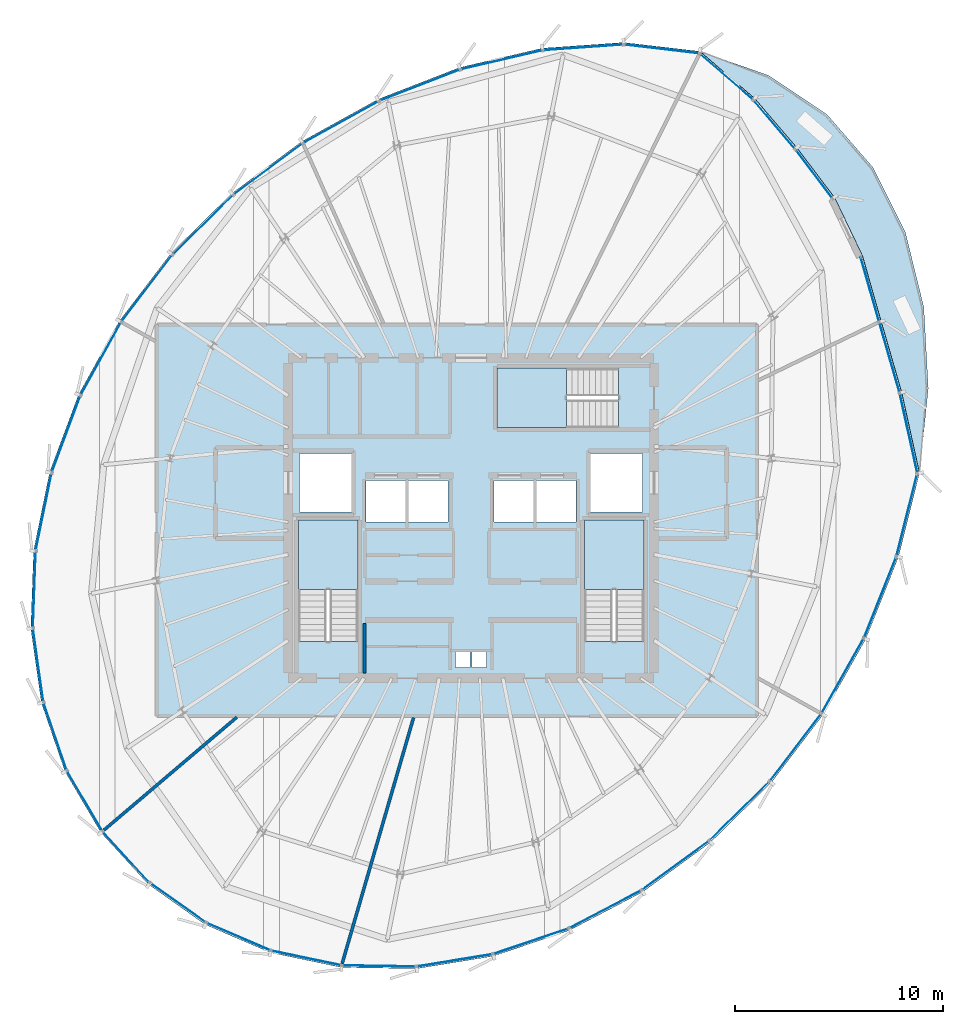
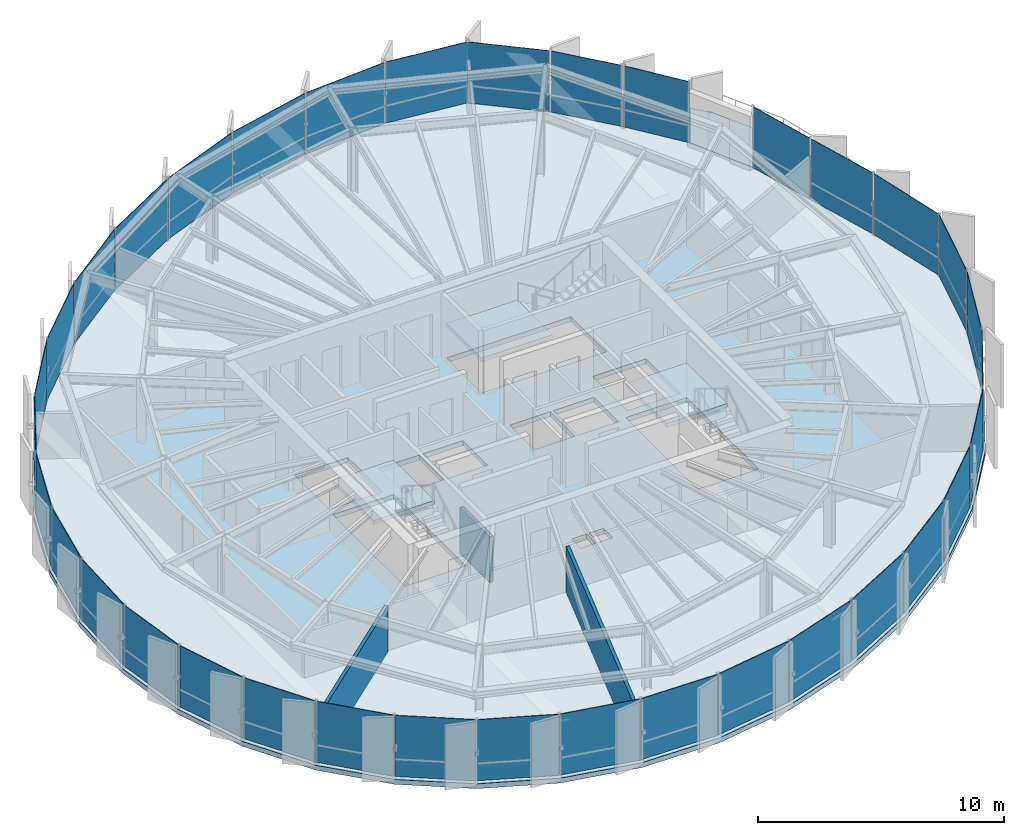
# One storey, part 26 of 34: 35 plates, 5 slabs, 3 walls, 10 elements without a shape of their own.
"""IFC4 building model written with IfcOpenShell, lengths in metres."""

from ifc_helpers import new_model, si_unit, direction, frame, frame_2d, origin, origin_2d, place, context, subcontext, project, spatial, polyline, rectangle, outline, extrude, source, transform, mapped, material, layer, layer_set, type_object, element, aggregate, save


model = new_model("IFC4")

# Units and contexts
model_context = context("Model", 3, precision=1e-05, world=origin(), true_north=direction((0.0, 1.0)))
body_context = subcontext(model_context, "Body", "Model", "MODEL_VIEW")
ifc_project = project(units=[si_unit("LENGTHUNIT", "METRE"), si_unit("AREAUNIT", "SQUARE_METRE"), si_unit("VOLUMEUNIT", "CUBIC_METRE"), si_unit("PLANEANGLEUNIT", "RADIAN"), si_unit("MASSUNIT", "GRAM", prefix="KILO"), si_unit("THERMODYNAMICTEMPERATUREUNIT", "KELVIN")], contexts=[model_context])

# Site, building, storey
site_placement = place(None, origin())
site = spatial("IfcSite", under=ifc_project, at=site_placement, CompositionType="ELEMENT")
building_placement = place(site_placement, origin())
building = spatial("IfcBuilding", under=site, at=building_placement, Name="Kethvar Cultural Tower", CompositionType="ELEMENT")
storey_placement = place(building_placement, frame((0.0, 0.0, 231.85009765625)))
storey = spatial("IfcBuildingStorey", under=building, at=storey_placement, Name="L60", CompositionType="ELEMENT", Elevation=231.85009765625)

# Stair, slab
ifc_material_1 = material(Name="Concrete C40/50", Category="concrete")
stair_type = type_object("IfcStairType", Name="ST-DOGLEG-135", PredefinedType="HALF_TURN_STAIR", material=ifc_material_1)
stair_1_placement = place(storey_placement, origin())
stair_1 = element("IfcStair", 1, at=stair_1_placement, inside=storey, type_object=stair_type, Name="L60 Core Exit Stair 1", PredefinedType="HALF_TURN_STAIR")
ifc_layer_1 = layer(ifc_material_1, 0.199951171875, Name="Concrete C40/50", Category="concrete")
ifc_layer_set_1 = layer_set([ifc_layer_1], Name="Concrete C40/50 (200 mm)")
slab_type_1 = type_object("IfcSlabType", Name="SL-STAIR-LANDING-200", PredefinedType="LANDING", material=ifc_layer_set_1)
slab_1_placement = place(storey_placement, frame((0.0, 0.0, 1.52490234375)))
slab_1 = element("IfcSlab", 2, at=slab_1_placement, type_object=slab_type_1, Name="ST-01 landing 1", PredefinedType="LANDING", context=body_context, shape_type="SweptSolid", body=[
    extrude(outline(polyline([(41.35009765625, 24.3701171875), (41.35009765625, 27.699951171875), (38.489990234375, 27.699951171875), (38.489990234375, 24.3701171875), (41.35009765625, 24.3701171875)])), origin(), (0.0, 0.0, 1.0), 0.199951171875),
])
aggregate(stair_1, [slab_1])

stair_2_placement = place(storey_placement, origin())
stair_2 = element("IfcStair", 3, at=stair_2_placement, inside=storey, type_object=stair_type, Name="L60 Core Exit Stair 2", PredefinedType="HALF_TURN_STAIR")
slab_2_placement = place(storey_placement, frame((0.0, 0.0, 1.52490234375)))
slab_2 = element("IfcSlab", 4, at=slab_2_placement, type_object=slab_type_1, Name="ST-02 landing 1", PredefinedType="LANDING", context=body_context, shape_type="SweptSolid", body=[
    extrude(outline(polyline([(55.110107421875, 24.3701171875), (55.110107421875, 27.699951171875), (52.25, 27.699951171875), (52.25, 24.3701171875), (55.110107421875, 24.3701171875)])), origin(), (0.0, 0.0, 1.0), 0.199951171875),
])
aggregate(stair_2, [slab_2])

stair_3_placement = place(storey_placement, origin())
stair_3 = element("IfcStair", 5, at=stair_3_placement, inside=storey, type_object=stair_type, Name="L60 Core Exit Stair 3", PredefinedType="HALF_TURN_STAIR")
slab_3_placement = place(storey_placement, frame((0.0, 0.0, 1.52490234375)))
slab_3 = element("IfcSlab", 6, at=slab_3_placement, type_object=slab_type_1, Name="ST-03 landing 1", PredefinedType="LANDING", context=body_context, shape_type="SweptSolid", body=[
    extrude(outline(polyline([(51.3798828125, 35.010009765625), (48.050048828125, 35.010009765625), (48.050048828125, 32.14990234375), (51.3798828125, 32.14990234375), (51.3798828125, 35.010009765625)])), origin(), (0.0, 0.0, 1.0), 0.199951171875),
])
aggregate(stair_3, [slab_3])

# Slabs
ifc_layer_2 = layer(ifc_material_1, 0.215087890625, Name="Concrete C40/50", Category="concrete")
ifc_layer_set_2 = layer_set([ifc_layer_2], Name="Concrete C40/50 (215 mm)")
slab_type_2 = type_object("IfcSlabType", Name="SL-TER-EXT", PredefinedType="FLOOR", material=ifc_layer_set_2)
slab_4_placement = place(storey_placement, frame((0.0, 0.0, -0.215087890625)))
element("IfcSlab", 7, at=slab_4_placement, inside=storey, type_object=slab_type_2, Name="L60 Spiralling Sky Terrace Deck", PredefinedType="FLOOR", context=body_context, shape_type="SweptSolid", body=[
    extrude(outline(polyline([(68.372802734375, 29.966796875), (68.79638671875, 34.035888671875), (68.579833984375, 37.947265625), (67.693115234375, 41.541015625), (66.131103515625, 44.67138671875), (63.9189453125, 47.217529296875), (61.115478515625, 49.09326171875), (57.814208984375, 50.25048828125), (60.442138671875, 47.989990234375), (62.4892578125, 45.595703125), (64.294677734375, 43.205078125), (65.6298828125, 40.416259765625), (66.53076171875, 37.2578125), (67.5185546875, 33.8427734375), (68.372802734375, 29.966796875)])), origin(), (0.0, 0.0, 1.0), 0.215087890625),
])
ifc_layer_3 = layer(ifc_material_1, 0.239990234375, Name="Concrete C40/50", Category="concrete")
ifc_layer_set_3 = layer_set([ifc_layer_3], Name="Concrete C40/50 (240 mm)")
slab_type_3 = type_object("IfcSlabType", Name="SL-TOW-240", PredefinedType="FLOOR", material=ifc_layer_set_3)
slab_5_placement = place(storey_placement, frame((0.0, 0.0, -0.239990234375)))
element("IfcSlab", 8, at=slab_5_placement, inside=storey, type_object=slab_type_3, Name="L60 Structural Floor Slab", PredefinedType="FLOOR", context=body_context, shape_type="SweptSolid", body=[
    extrude(outline(polyline([(62.4892578125, 45.595703125), (60.442138671875, 47.989990234375), (57.814208984375, 50.25048828125), (54.137451171875, 50.6796875), (50.22998046875, 50.404541015625), (46.24609375, 49.47412109375), (42.339111328125, 47.95361328125), (38.6494140625, 45.913330078125), (35.294189453125, 43.4208984375), (32.35791015625, 40.532470703125), (29.880126953125, 37.27978515625), (27.91650390625, 33.7392578125), (26.52685546875, 30.01806640625), (25.7529296875, 26.2294921875), (25.61865234375, 22.48876953125), (26.1279296875, 18.9091796875), (27.265380859375, 15.599853515625), (28.996337890625, 12.661376953125), (31.268310546875, 10.1826171875), (34.01220703125, 8.2392578125), (37.14453125, 6.890380859375), (40.5703125, 6.1767578125), (44.185302734375, 6.1201171875), (47.8798828125, 6.72216796875), (51.54150390625, 7.964599609375), (55.05908203125, 9.809814453125), (58.32568359375, 12.20166015625), (61.2421875, 15.0673828125), (63.73974609375, 18.3427734375), (65.7919921875, 21.98388671875), (67.353759765625, 25.900146484375), (68.372802734375, 29.966796875), (67.5185546875, 33.8427734375), (66.53076171875, 37.2578125), (65.6298828125, 40.416259765625), (64.294677734375, 43.205078125), (62.4892578125, 45.595703125)]), holes=[polyline([(38.489990234375, 21.85009765625), (38.489990234375, 27.699951171875), (41.35009765625, 27.699951171875), (41.35009765625, 21.85009765625), (38.489990234375, 21.85009765625)]), polyline([(52.25, 21.85009765625), (52.25, 27.699951171875), (55.110107421875, 27.699951171875), (55.110107421875, 21.85009765625), (52.25, 21.85009765625)]), polyline([(53.89990234375, 32.14990234375), (48.050048828125, 32.14990234375), (48.050048828125, 35.010009765625), (53.89990234375, 35.010009765625), (53.89990234375, 32.14990234375)]), polyline([(41.75, 29.60009765625), (43.64990234375, 29.60009765625), (43.64990234375, 27.60009765625), (41.75, 27.60009765625), (41.75, 29.60009765625)]), polyline([(43.800048828125, 29.60009765625), (45.699951171875, 29.60009765625), (45.699951171875, 27.60009765625), (43.800048828125, 27.60009765625), (43.800048828125, 29.60009765625)]), polyline([(47.89990234375, 29.60009765625), (49.800048828125, 29.60009765625), (49.800048828125, 27.60009765625), (47.89990234375, 27.60009765625), (47.89990234375, 29.60009765625)]), polyline([(49.949951171875, 29.60009765625), (51.85009765625, 29.60009765625), (51.85009765625, 27.60009765625), (49.949951171875, 27.60009765625), (49.949951171875, 29.60009765625)]), polyline([(38.550048828125, 30.89990234375), (41.050048828125, 30.89990234375), (41.050048828125, 28.10009765625), (38.550048828125, 28.10009765625), (38.550048828125, 30.89990234375)]), polyline([(52.550048828125, 30.89990234375), (55.050048828125, 30.89990234375), (55.050048828125, 28.10009765625), (52.550048828125, 28.10009765625), (52.550048828125, 30.89990234375)]), polyline([(46.050048828125, 21.35009765625), (46.75, 21.35009765625), (46.75, 20.60009765625), (46.050048828125, 20.60009765625), (46.050048828125, 21.35009765625)]), polyline([(46.85009765625, 21.35009765625), (47.550048828125, 21.35009765625), (47.550048828125, 20.60009765625), (46.85009765625, 20.60009765625), (46.85009765625, 21.35009765625)])]), origin(), (0.0, 0.0, 1.0), 0.239990234375),
])

# Curtain wall, plates
ifc_material_2 = material(Name="Aluminium 6063-T6", Category="aluminium")
ifc_layer_4 = layer(ifc_material_2, 0.179931640625, Name="Aluminium 6063-T6", Category="aluminium")
ifc_layer_set_4 = layer_set([ifc_layer_4], Name="Aluminium 6063-T6 (180 mm)")
curtain_wall_type = type_object("IfcCurtainWallType", Name="CW-SYS-05-Z56", PredefinedType="NOTDEFINED", material=ifc_layer_set_4)
curtain_wall_1_placement = place(storey_placement, origin())
curtain_wall_1 = element("IfcCurtainWall", 9, at=curtain_wall_1_placement, inside=storey, type_object=curtain_wall_type, Name="L60 Curtain Wall Run 01", PredefinedType="NOTDEFINED")
ifc_material_3 = material(Name="Insulated Low-E Solar Glass", Category="glass")
ifc_layer_5 = layer(ifc_material_3, 0.028076171875, Name="Insulated Low-E Solar Glass", Category="glass")
ifc_layer_set_5 = layer_set([ifc_layer_5], Name="Insulated Low-E Solar Glass (28 mm)")
plate_type = type_object("IfcPlateType", Name="CW-SYS-05-Z56-PNL", PredefinedType="CURTAIN_PANEL", material=ifc_layer_set_5)
shared_shape_1 = source(origin(), body_context, "Body", "SweptSolid", [
    extrude(rectangle(XDim=3.071044921875, YDim=0.028076171875, at=origin_2d()), origin(), (0.0, 0.0, 1.0), 3.030029296875),
])
plate_1_placement = place(storey_placement, frame((61.3896484375, 46.727783203125, 0.08984375), z_axis=(0.0, 0.0, 1.0), x_axis=(-0.64984610692, 0.760065811178, 0.0)))
plate_1 = element("IfcPlate", 10, at=plate_1_placement, type_object=plate_type, Name="CW-L60-R01 Vision Glazing Panel 1", PredefinedType="CURTAIN_PANEL", context=body_context, shape_type="MappedRepresentation", body=[
    mapped(shared_shape_1, transform((0.0, 0.0, 0.0), scale=1.0)),
])
shared_shape_2 = source(origin(), body_context, "Body", "SweptSolid", [
    extrude(rectangle(XDim=3.38720703125, YDim=0.028076171875, at=origin_2d()), origin(), (0.0, 0.0, 1.0), 3.030029296875),
])
plate_2_placement = place(storey_placement, frame((59.06298828125, 49.044677734375, 0.08984375), z_axis=(0.0, 0.0, 1.0), x_axis=(-0.758122954818, 0.652111635671, 0.0)))
plate_2 = element("IfcPlate", 11, at=plate_2_placement, type_object=plate_type, Name="CW-L60-R01 Vision Glazing Panel 2", PredefinedType="CURTAIN_PANEL", context=body_context, shape_type="MappedRepresentation", body=[
    mapped(shared_shape_2, transform((0.0, 0.0, 0.0), scale=1.0)),
])
shared_shape_3 = source(origin(), body_context, "Body", "SweptSolid", [
    extrude(rectangle(XDim=3.622314453125, YDim=0.028076171875, at=origin_2d()), origin(), (0.0, 0.0, 1.0), 3.030029296875),
])
plate_3_placement = place(storey_placement, frame((55.964111328125, 50.365966796875, 0.08984375), z_axis=(0.0, 0.0, 1.0), x_axis=(-0.99325590681, 0.115942673708, 0.0)))
plate_3 = element("IfcPlate", 12, at=plate_3_placement, type_object=plate_type, Name="CW-L60-R01 Vision Glazing Panel 3", PredefinedType="CURTAIN_PANEL", context=body_context, shape_type="MappedRepresentation", body=[
    mapped(shared_shape_3, transform((0.0, 0.0, 0.0), scale=1.0)),
])
shared_shape_4 = source(origin(), body_context, "Body", "SweptSolid", [
    extrude(rectangle(XDim=3.838134765625, YDim=0.028076171875, at=origin_2d()), origin(), (0.0, 0.0, 1.0), 3.030029296875),
])
plate_4_placement = place(storey_placement, frame((52.190673828125, 50.4423828125, 0.08984375), z_axis=(0.0, 0.0, 1.0), x_axis=(-0.997528615558, -0.070261377325, 0.0)))
plate_4 = element("IfcPlate", 13, at=plate_4_placement, type_object=plate_type, Name="CW-L60-R01 Vision Glazing Panel 4", PredefinedType="CURTAIN_PANEL", context=body_context, shape_type="MappedRepresentation", body=[
    mapped(shared_shape_4, transform((0.0, 0.0, 0.0), scale=1.0)),
])
shared_shape_5 = source(origin(), body_context, "Body", "SweptSolid", [
    extrude(rectangle(XDim=4.011962890625, YDim=0.028076171875, at=origin_2d()), origin(), (0.0, 0.0, 1.0), 3.030029296875),
])
plate_5_placement = place(storey_placement, frame((48.2607421875, 49.842041015625, 0.08984375), z_axis=(0.0, 0.0, 1.0), x_axis=(-0.973797655378, -0.227416196389, 0.0)))
plate_5 = element("IfcPlate", 14, at=plate_5_placement, type_object=plate_type, Name="CW-L60-R01 Vision Glazing Panel 5", PredefinedType="CURTAIN_PANEL", context=body_context, shape_type="MappedRepresentation", body=[
    mapped(shared_shape_5, transform((0.0, 0.0, 0.0), scale=1.0)),
])
shared_shape_6 = source(origin(), body_context, "Body", "SweptSolid", [
    extrude(rectangle(XDim=4.11328125, YDim=0.028076171875, at=origin_2d()), origin(), (0.0, 0.0, 1.0), 3.030029296875),
])
plate_6_placement = place(storey_placement, frame((44.328857421875, 48.62060546875, 0.08984375), z_axis=(0.0, 0.0, 1.0), x_axis=(-0.931906621151, -0.362698289844, 0.0)))
plate_6 = element("IfcPlate", 15, at=plate_6_placement, type_object=plate_type, Name="CW-L60-R01 Vision Glazing Panel 6", PredefinedType="CURTAIN_PANEL", context=body_context, shape_type="MappedRepresentation", body=[
    mapped(shared_shape_6, transform((0.0, 0.0, 0.0), scale=1.0)),
])
aggregate(curtain_wall_1, [plate_1, plate_2, plate_3, plate_4, plate_5, plate_6])

# Curtain wall, plate
curtain_wall_2_placement = place(storey_placement, origin())
curtain_wall_2 = element("IfcCurtainWall", 16, at=curtain_wall_2_placement, inside=storey, type_object=curtain_wall_type, Name="L60 Curtain Wall Run 06", PredefinedType="NOTDEFINED")
plate_7_placement = place(storey_placement, frame((67.766357421875, 27.9580078125, 0.08984375), z_axis=(0.0, 0.0, 1.0), x_axis=(0.24305636523, 0.970012166584, 0.0)))
plate_7 = element("IfcPlate", 17, at=plate_7_placement, type_object=plate_type, Name="CW-L60-R06 Vision Glazing Panel 1", PredefinedType="CURTAIN_PANEL", context=body_context, shape_type="MappedRepresentation", body=[
    mapped(shared_shape_6, transform((0.0, 0.0, 0.0), scale=1.0)),
])

curtain_wall_3_placement = place(storey_placement, origin())
curtain_wall_3 = element("IfcCurtainWall", 18, at=curtain_wall_3_placement, inside=storey, type_object=curtain_wall_type, Name="L60 Curtain Wall Run 02", PredefinedType="NOTDEFINED")
shared_shape_7 = source(origin(), body_context, "Body", "SweptSolid", [
    extrude(rectangle(XDim=4.136962890625, YDim=0.028076171875, at=origin_2d()), origin(), (0.0, 0.0, 1.0), 3.030029296875),
])
plate_8_placement = place(storey_placement, frame((40.542724609375, 46.845947265625, 0.08984375), z_axis=(0.0, 0.0, 1.0), x_axis=(-0.875110027329, -0.483924002369, 0.0)))
plate_8 = element("IfcPlate", 19, at=plate_8_placement, type_object=plate_type, Name="CW-L60-R02 Vision Glazing Panel 1", PredefinedType="CURTAIN_PANEL", context=body_context, shape_type="MappedRepresentation", body=[
    mapped(shared_shape_7, transform((0.0, 0.0, 0.0), scale=1.0)),
])

curtain_wall_4_placement = place(storey_placement, origin())
curtain_wall_4 = element("IfcCurtainWall", 20, at=curtain_wall_4_placement, inside=storey, type_object=curtain_wall_type, Name="L60 Curtain Wall Run 05", PredefinedType="NOTDEFINED")
plate_9_placement = place(storey_placement, frame((66.47998046875, 23.979248046875, 0.08984375), z_axis=(0.0, 0.0, 1.0), x_axis=(0.37042774762, 0.928861283397, 0.0)))
plate_9 = element("IfcPlate", 21, at=plate_9_placement, type_object=plate_type, Name="CW-L60-R05 Vision Glazing Panel 6", PredefinedType="CURTAIN_PANEL", context=body_context, shape_type="MappedRepresentation", body=[
    mapped(shared_shape_7, transform((0.0, 0.0, 0.0), scale=1.0)),
])

# Plate
shared_shape_8 = source(origin(), body_context, "Body", "SweptSolid", [
    extrude(rectangle(XDim=4.1005859375, YDim=0.028076171875, at=origin_2d()), origin(), (0.0, 0.0, 1.0), 3.030029296875),
])
plate_10_placement = place(storey_placement, frame((37.031494140625, 44.5869140625, 0.08984375), z_axis=(0.0, 0.0, 1.0), x_axis=(-0.802755034266, -0.596308942546, 0.0)))
plate_10 = element("IfcPlate", 22, at=plate_10_placement, type_object=plate_type, Name="CW-L60-R02 Vision Glazing Panel 2", PredefinedType="CURTAIN_PANEL", context=body_context, shape_type="MappedRepresentation", body=[
    mapped(shared_shape_8, transform((0.0, 0.0, 0.0), scale=1.0)),
])

plate_11_placement = place(storey_placement, frame((64.6787109375, 20.21240234375, 0.08984375), z_axis=(0.0, 0.0, 1.0), x_axis=(0.490979779493, 0.871170968369, 0.0)))
plate_11 = element("IfcPlate", 23, at=plate_11_placement, type_object=plate_type, Name="CW-L60-R05 Vision Glazing Panel 5", PredefinedType="CURTAIN_PANEL", context=body_context, shape_type="MappedRepresentation", body=[
    mapped(shared_shape_8, transform((0.0, 0.0, 0.0), scale=1.0)),
])

shared_shape_9 = source(origin(), body_context, "Body", "SweptSolid", [
    extrude(rectangle(XDim=4.03955078125, YDim=0.028076171875, at=origin_2d()), origin(), (0.0, 0.0, 1.0), 3.030029296875),
])
plate_12_placement = place(storey_placement, frame((33.896240234375, 41.905517578125, 0.08984375), z_axis=(0.0, 0.0, 1.0), x_axis=(-0.712907835115, -0.701257740515, 0.0)))
plate_12 = element("IfcPlate", 24, at=plate_12_placement, type_object=plate_type, Name="CW-L60-R02 Vision Glazing Panel 3", PredefinedType="CURTAIN_PANEL", context=body_context, shape_type="MappedRepresentation", body=[
    mapped(shared_shape_9, transform((0.0, 0.0, 0.0), scale=1.0)),
])

plate_13_placement = place(storey_placement, frame((62.41162109375, 16.765625, 0.08984375), z_axis=(0.0, 0.0, 1.0), x_axis=(0.606377069567, 0.79517724408, 0.0)))
plate_13 = element("IfcPlate", 25, at=plate_13_placement, type_object=plate_type, Name="CW-L60-R05 Vision Glazing Panel 4", PredefinedType="CURTAIN_PANEL", context=body_context, shape_type="MappedRepresentation", body=[
    mapped(shared_shape_9, transform((0.0, 0.0, 0.0), scale=1.0)),
])

shared_shape_10 = source(origin(), body_context, "Body", "SweptSolid", [
    extrude(rectangle(XDim=4.009765625, YDim=0.028076171875, at=origin_2d()), origin(), (0.0, 0.0, 1.0), 3.030029296875),
])
plate_14_placement = place(storey_placement, frame((31.198486328125, 38.845703125, 0.08984375), z_axis=(0.0, 0.0, 1.0), x_axis=(-0.605974516542, -0.795484057227, 0.0)))
plate_14 = element("IfcPlate", 26, at=plate_14_placement, type_object=plate_type, Name="CW-L60-R02 Vision Glazing Panel 4", PredefinedType="CURTAIN_PANEL", context=body_context, shape_type="MappedRepresentation", body=[
    mapped(shared_shape_10, transform((0.0, 0.0, 0.0), scale=1.0)),
])

shared_shape_11 = source(origin(), body_context, "Body", "SweptSolid", [
    extrude(rectangle(XDim=3.969482421875, YDim=0.028076171875, at=origin_2d()), origin(), (0.0, 0.0, 1.0), 3.030029296875),
])
plate_15_placement = place(storey_placement, frame((28.98583984375, 35.461181640625, 0.08984375), z_axis=(0.0, 0.0, 1.0), x_axis=(-0.48497752624, -0.874526614256, 0.0)))
plate_15 = element("IfcPlate", 27, at=plate_15_placement, type_object=plate_type, Name="CW-L60-R02 Vision Glazing Panel 5", PredefinedType="CURTAIN_PANEL", context=body_context, shape_type="MappedRepresentation", body=[
    mapped(shared_shape_11, transform((0.0, 0.0, 0.0), scale=1.0)),
])

plate_16_placement = place(storey_placement, frame((56.63330078125, 11.08642578125, 0.08984375), z_axis=(0.0, 0.0, 1.0), x_axis=(0.806836598284, 0.590774664038, 0.0)))
plate_16 = element("IfcPlate", 28, at=plate_16_placement, type_object=plate_type, Name="CW-L60-R05 Vision Glazing Panel 2", PredefinedType="CURTAIN_PANEL", context=body_context, shape_type="MappedRepresentation", body=[
    mapped(shared_shape_11, transform((0.0, 0.0, 0.0), scale=1.0)),
])

shared_shape_12 = source(origin(), body_context, "Body", "SweptSolid", [
    extrude(rectangle(XDim=3.89306640625, YDim=0.028076171875, at=origin_2d()), origin(), (0.0, 0.0, 1.0), 3.030029296875),
])
plate_17_placement = place(storey_placement, frame((27.3154296875, 31.843505859375, 0.08984375), z_axis=(0.0, 0.0, 1.0), x_axis=(-0.349880399656, -0.936794377618, 0.0)))
plate_17 = element("IfcPlate", 29, at=plate_17_placement, type_object=plate_type, Name="CW-L60-R02 Vision Glazing Panel 6", PredefinedType="CURTAIN_PANEL", context=body_context, shape_type="MappedRepresentation", body=[
    mapped(shared_shape_12, transform((0.0, 0.0, 0.0), scale=1.0)),
])

aggregate(curtain_wall_3, [plate_8, plate_10, plate_12, plate_14, plate_15, plate_17])

plate_18_placement = place(storey_placement, frame((53.25390625, 8.975830078125, 0.08984375), z_axis=(0.0, 0.0, 1.0), x_axis=(0.885555832294, 0.464532956732, 0.0)))
plate_18 = element("IfcPlate", 30, at=plate_18_placement, type_object=plate_type, Name="CW-L60-R05 Vision Glazing Panel 1", PredefinedType="CURTAIN_PANEL", context=body_context, shape_type="MappedRepresentation", body=[
    mapped(shared_shape_12, transform((0.0, 0.0, 0.0), scale=1.0)),
])

# Curtain wall, plate
curtain_wall_5_placement = place(storey_placement, origin())
curtain_wall_5 = element("IfcCurtainWall", 31, at=curtain_wall_5_placement, inside=storey, type_object=curtain_wall_type, Name="L60 Curtain Wall Run 03", PredefinedType="NOTDEFINED")
shared_shape_13 = source(origin(), body_context, "Body", "SweptSolid", [
    extrude(rectangle(XDim=3.78759765625, YDim=0.028076171875, at=origin_2d()), origin(), (0.0, 0.0, 1.0), 3.030029296875),
])
plate_19_placement = place(storey_placement, frame((26.23779296875, 28.103759765625, 0.08984375), z_axis=(0.0, 0.0, 1.0), x_axis=(-0.200120403706, -0.979771312103, 0.0)))
plate_19 = element("IfcPlate", 32, at=plate_19_placement, type_object=plate_type, Name="CW-L60-R03 Vision Glazing Panel 1", PredefinedType="CURTAIN_PANEL", context=body_context, shape_type="MappedRepresentation", body=[
    mapped(shared_shape_13, transform((0.0, 0.0, 0.0), scale=1.0)),
])

curtain_wall_6_placement = place(storey_placement, origin())
curtain_wall_6 = element("IfcCurtainWall", 33, at=curtain_wall_6_placement, inside=storey, type_object=curtain_wall_type, Name="L60 Curtain Wall Run 04", PredefinedType="NOTDEFINED")
plate_20_placement = place(storey_placement, frame((49.6787109375, 7.43798828125, 0.08984375), z_axis=(0.0, 0.0, 1.0), x_axis=(0.946969393667, 0.321323773565, 0.0)))
plate_20 = element("IfcPlate", 34, at=plate_20_placement, type_object=plate_type, Name="CW-L60-R04 Vision Glazing Panel 6", PredefinedType="CURTAIN_PANEL", context=body_context, shape_type="MappedRepresentation", body=[
    mapped(shared_shape_13, transform((0.0, 0.0, 0.0), scale=1.0)),
])

# Plate
shared_shape_14 = source(origin(), body_context, "Body", "SweptSolid", [
    extrude(rectangle(XDim=3.6640625, YDim=0.028076171875, at=origin_2d()), origin(), (0.0, 0.0, 1.0), 3.030029296875),
])
plate_21_placement = place(storey_placement, frame((25.785888671875, 24.35546875, 0.08984375), z_axis=(0.0, 0.0, 1.0), x_axis=(-0.035876268863, -0.999356239452, 0.0)))
plate_21 = element("IfcPlate", 35, at=plate_21_placement, type_object=plate_type, Name="CW-L60-R03 Vision Glazing Panel 2", PredefinedType="CURTAIN_PANEL", context=body_context, shape_type="MappedRepresentation", body=[
    mapped(shared_shape_14, transform((0.0, 0.0, 0.0), scale=1.0)),
])

plate_22_placement = place(storey_placement, frame((46.016357421875, 6.519775390625, 0.08984375), z_axis=(0.0, 0.0, 1.0), x_axis=(0.986979528226, 0.16084592274, 0.0)))
plate_22 = element("IfcPlate", 36, at=plate_22_placement, type_object=plate_type, Name="CW-L60-R04 Vision Glazing Panel 5", PredefinedType="CURTAIN_PANEL", context=body_context, shape_type="MappedRepresentation", body=[
    mapped(shared_shape_14, transform((0.0, 0.0, 0.0), scale=1.0)),
])

shared_shape_15 = source(origin(), body_context, "Body", "SweptSolid", [
    extrude(rectangle(XDim=3.536376953125, YDim=0.028076171875, at=origin_2d()), origin(), (0.0, 0.0, 1.0), 3.030029296875),
])
plate_23_placement = place(storey_placement, frame((25.972412109375, 20.712890625, 0.08984375), z_axis=(0.0, 0.0, 1.0), x_axis=(0.140866673507, -0.990028575494, 0.0)))
plate_23 = element("IfcPlate", 37, at=plate_23_placement, type_object=plate_type, Name="CW-L60-R03 Vision Glazing Panel 3", PredefinedType="CURTAIN_PANEL", context=body_context, shape_type="MappedRepresentation", body=[
    mapped(shared_shape_15, transform((0.0, 0.0, 0.0), scale=1.0)),
])

plate_24_placement = place(storey_placement, frame((42.37939453125, 6.248291015625, 0.08984375), z_axis=(0.0, 0.0, 1.0), x_axis=(0.999876906474, -0.01568986617, 0.0)))
plate_24 = element("IfcPlate", 38, at=plate_24_placement, type_object=plate_type, Name="CW-L60-R04 Vision Glazing Panel 4", PredefinedType="CURTAIN_PANEL", context=body_context, shape_type="MappedRepresentation", body=[
    mapped(shared_shape_15, transform((0.0, 0.0, 0.0), scale=1.0)),
])

shared_shape_16 = source(origin(), body_context, "Body", "SweptSolid", [
    extrude(rectangle(XDim=3.420166015625, YDim=0.028076171875, at=origin_2d()), origin(), (0.0, 0.0, 1.0), 3.030029296875),
])
plate_25_placement = place(storey_placement, frame((26.791259765625, 17.287109375, 0.08984375), z_axis=(0.0, 0.0, 1.0), x_axis=(0.325040026515, -0.945700259682, 0.0)))
plate_25 = element("IfcPlate", 39, at=plate_25_placement, type_object=plate_type, Name="CW-L60-R03 Vision Glazing Panel 4", PredefinedType="CURTAIN_PANEL", context=body_context, shape_type="MappedRepresentation", body=[
    mapped(shared_shape_16, transform((0.0, 0.0, 0.0), scale=1.0)),
])

shared_shape_17 = source(origin(), body_context, "Body", "SweptSolid", [
    extrude(rectangle(XDim=3.331298828125, YDim=0.028076171875, at=origin_2d()), origin(), (0.0, 0.0, 1.0), 3.030029296875),
])
plate_26_placement = place(storey_placement, frame((28.217041015625, 14.181396484375, 0.08984375), z_axis=(0.0, 0.0, 1.0), x_axis=(0.507523324618, -0.861638018526, 0.0)))
plate_26 = element("IfcPlate", 40, at=plate_26_placement, type_object=plate_type, Name="CW-L60-R03 Vision Glazing Panel 5", PredefinedType="CURTAIN_PANEL", context=body_context, shape_type="MappedRepresentation", body=[
    mapped(shared_shape_17, transform((0.0, 0.0, 0.0), scale=1.0)),
])

plate_27_placement = place(storey_placement, frame((35.617919921875, 7.656494140625, 0.08984375), z_axis=(0.0, 0.0, 1.0), x_axis=(0.918446381343, -0.395545502563, 0.0)))
plate_27 = element("IfcPlate", 41, at=plate_27_placement, type_object=plate_type, Name="CW-L60-R04 Vision Glazing Panel 2", PredefinedType="CURTAIN_PANEL", context=body_context, shape_type="MappedRepresentation", body=[
    mapped(shared_shape_17, transform((0.0, 0.0, 0.0), scale=1.0)),
])

shared_shape_18 = source(origin(), body_context, "Body", "SweptSolid", [
    extrude(rectangle(XDim=3.283203125, YDim=0.028076171875, at=origin_2d()), origin(), (0.0, 0.0, 1.0), 3.030029296875),
])
plate_28_placement = place(storey_placement, frame((30.2060546875, 11.489501953125, 0.08984375), z_axis=(0.0, 0.0, 1.0), x_axis=(0.675706010534, -0.737171206253, 0.0)))
plate_28 = element("IfcPlate", 42, at=plate_28_placement, type_object=plate_type, Name="CW-L60-R03 Vision Glazing Panel 6", PredefinedType="CURTAIN_PANEL", context=body_context, shape_type="MappedRepresentation", body=[
    mapped(shared_shape_18, transform((0.0, 0.0, 0.0), scale=1.0)),
])

aggregate(curtain_wall_5, [plate_19, plate_21, plate_23, plate_25, plate_26, plate_28])

plate_29_placement = place(storey_placement, frame((32.697998046875, 9.29248046875, 0.08984375), z_axis=(0.0, 0.0, 1.0), x_axis=(0.81605689798, -0.577971573055, 0.0)))
plate_29 = element("IfcPlate", 43, at=plate_29_placement, type_object=plate_type, Name="CW-L60-R04 Vision Glazing Panel 1", PredefinedType="CURTAIN_PANEL", context=body_context, shape_type="MappedRepresentation", body=[
    mapped(shared_shape_18, transform((0.0, 0.0, 0.0), scale=1.0)),
])

shared_shape_19 = source(origin(), body_context, "Body", "SweptSolid", [
    extrude(rectangle(XDim=3.419921875, YDim=0.028076171875, at=origin_2d()), origin(), (0.0, 0.0, 1.0), 3.030029296875),
])
plate_30_placement = place(storey_placement, frame((38.877685546875, 6.63134765625, 0.08984375), z_axis=(0.0, 0.0, 1.0), x_axis=(0.978985007667, -0.203932230812, 0.0)))
plate_30 = element("IfcPlate", 44, at=plate_30_placement, type_object=plate_type, Name="CW-L60-R04 Vision Glazing Panel 3", PredefinedType="CURTAIN_PANEL", context=body_context, shape_type="MappedRepresentation", body=[
    mapped(shared_shape_19, transform((0.0, 0.0, 0.0), scale=1.0)),
])

aggregate(curtain_wall_6, [plate_29, plate_27, plate_30, plate_24, plate_22, plate_20])

shared_shape_20 = source(origin(), body_context, "Body", "SweptSolid", [
    extrude(rectangle(XDim=4.009521484375, YDim=0.028076171875, at=origin_2d()), origin(), (0.0, 0.0, 1.0), 3.030029296875),
])
plate_31_placement = place(storey_placement, frame((59.7138671875, 13.7060546875, 0.08984375), z_axis=(0.0, 0.0, 1.0), x_axis=(0.71326268222, 0.700896815624, 0.0)))
plate_31 = element("IfcPlate", 45, at=plate_31_placement, type_object=plate_type, Name="CW-L60-R05 Vision Glazing Panel 3", PredefinedType="CURTAIN_PANEL", context=body_context, shape_type="MappedRepresentation", body=[
    mapped(shared_shape_20, transform((0.0, 0.0, 0.0), scale=1.0)),
])

aggregate(curtain_wall_4, [plate_18, plate_16, plate_31, plate_13, plate_11, plate_9])

shared_shape_21 = source(origin(), body_context, "Body", "SweptSolid", [
    extrude(rectangle(XDim=3.8896484375, YDim=0.028076171875, at=origin_2d()), origin(), (0.0, 0.0, 1.0), 3.030029296875),
])
plate_32_placement = place(storey_placement, frame((67.847900390625, 31.88330078125, 0.08984375), z_axis=(0.0, 0.0, 1.0), x_axis=(-0.215246682117, 0.976559709305, 0.0)))
plate_32 = element("IfcPlate", 46, at=plate_32_placement, type_object=plate_type, Name="CW-L60-R06 Vision Glazing Panel 2", PredefinedType="CURTAIN_PANEL", context=body_context, shape_type="MappedRepresentation", body=[
    mapped(shared_shape_21, transform((0.0, 0.0, 0.0), scale=1.0)),
])

shared_shape_22 = source(origin(), body_context, "Body", "SweptSolid", [
    extrude(rectangle(XDim=3.475830078125, YDim=0.028076171875, at=origin_2d()), origin(), (0.0, 0.0, 1.0), 3.030029296875),
])
plate_33_placement = place(storey_placement, frame((66.928466796875, 35.5224609375, 0.08984375), z_axis=(0.0, 0.0, 1.0), x_axis=(-0.277867976343, 0.960619273033, 0.0)))
plate_33 = element("IfcPlate", 47, at=plate_33_placement, type_object=plate_type, Name="CW-L60-R06 Vision Glazing Panel 3", PredefinedType="CURTAIN_PANEL", context=body_context, shape_type="MappedRepresentation", body=[
    mapped(shared_shape_22, transform((0.0, 0.0, 0.0), scale=1.0)),
])

shared_shape_23 = source(origin(), body_context, "Body", "SweptSolid", [
    extrude(rectangle(XDim=3.205078125, YDim=0.028076171875, at=origin_2d()), origin(), (0.0, 0.0, 1.0), 3.030029296875),
])
plate_34_placement = place(storey_placement, frame((65.984130859375, 38.8095703125, 0.08984375), z_axis=(0.0, 0.0, 1.0), x_axis=(-0.274261345111, 0.961655195264, 0.0)))
plate_34 = element("IfcPlate", 48, at=plate_34_placement, type_object=plate_type, Name="CW-L60-R06 Vision Glazing Panel 4", PredefinedType="CURTAIN_PANEL", context=body_context, shape_type="MappedRepresentation", body=[
    mapped(shared_shape_23, transform((0.0, 0.0, 0.0), scale=1.0)),
])

aggregate(curtain_wall_2, [plate_7, plate_32, plate_33, plate_34])

# Curtain wall, plate
curtain_wall_7_placement = place(storey_placement, origin())
curtain_wall_7 = element("IfcCurtainWall", 49, at=curtain_wall_7_placement, inside=storey, type_object=curtain_wall_type, Name="L60 Curtain Wall Run 07", PredefinedType="NOTDEFINED")
shared_shape_24 = source(origin(), body_context, "Body", "SweptSolid", [
    extrude(rectangle(XDim=2.91650390625, YDim=0.028076171875, at=origin_2d()), origin(), (0.0, 0.0, 1.0), 3.030029296875),
])
plate_35_placement = place(storey_placement, frame((63.31201171875, 44.340087890625, 0.08984375), z_axis=(0.0, 0.0, 1.0), x_axis=(-0.602651022168, 0.798004853043, 0.0)))
plate_35 = element("IfcPlate", 50, at=plate_35_placement, type_object=plate_type, Name="CW-L60-R07 Vision Glazing Panel 1", PredefinedType="CURTAIN_PANEL", context=body_context, shape_type="MappedRepresentation", body=[
    mapped(shared_shape_24, transform((0.0, 0.0, 0.0), scale=1.0)),
])
aggregate(curtain_wall_7, [plate_35])

# Walls
ifc_material_4 = material(Name="Gypsum Fireboard Partition")
ifc_layer_6 = layer(ifc_material_4, 0.14990234375, Name="Gypsum Fireboard Partition")
ifc_layer_set_6 = layer_set([ifc_layer_6], Name="Gypsum Fireboard Partition (150 mm)")
wall_type_1 = type_object("IfcWallType", Name="WL-FIRE-150", PredefinedType="PARTITIONING", material=ifc_layer_set_6)
wall_1_placement = place(storey_placement, frame((41.679931640625, 20.3349609375, 0.0), z_axis=(0.0, 0.0, 1.0), x_axis=(0.0, 1.0, 0.0)))
element("IfcWall", 51, at=wall_1_placement, inside=storey, type_object=wall_type_1, Name="L60 Reclaimed West Outer Wall", PredefinedType="PARTITIONING", context=body_context, shape_type="SweptSolid", body=[
    extrude(rectangle(XDim=2.39501953125, YDim=0.14990234375, at=frame_2d((1.197509765625, 0.0))), origin(), (0.0, 0.0, 1.0), 2.27978515625),
])
ifc_material_5 = material(Name="Gypsum Acoustic Partition")
ifc_layer_7 = layer(ifc_material_5, 0.14990234375, Name="Gypsum Acoustic Partition")
ifc_layer_set_7 = layer_set([ifc_layer_7], Name="Gypsum Acoustic Partition (150 mm)")
wall_type_2 = type_object("IfcWallType", Name="WL-PART-150", PredefinedType="PARTITIONING", material=ifc_layer_set_7)
wall_2_placement = place(storey_placement, frame((35.5302734375, 18.21728515625, 0.0), z_axis=(0.0, 0.0, 1.0), x_axis=(-0.762097308208, -0.647462503024, 0.0)))
element("IfcWall", 52, at=wall_2_placement, inside=storey, type_object=wall_type_2, Name="L60 Radial Partition Wall 01", PredefinedType="PARTITIONING", context=body_context, shape_type="SweptSolid", body=[
    extrude(rectangle(XDim=8.386962890625, YDim=0.14990234375, at=frame_2d((4.193359375, 0.0))), origin(), (0.0, 0.0, 1.0), 2.27978515625),
])
wall_3_placement = place(storey_placement, frame((44.03173828125, 18.192138671875, 0.0), z_axis=(0.0, 0.0, 1.0), x_axis=(-0.278852060742, -0.960334071154, 0.0)))
element("IfcWall", 53, at=wall_3_placement, inside=storey, type_object=wall_type_2, Name="L60 Radial Partition Wall 02", PredefinedType="PARTITIONING", context=body_context, shape_type="SweptSolid", body=[
    extrude(rectangle(XDim=12.317626953125, YDim=0.14990234375, at=frame_2d((6.15869140625, 0.0))), origin(), (0.0, 0.0, 1.0), 2.27978515625),
])

save(model, "model.ifc")
